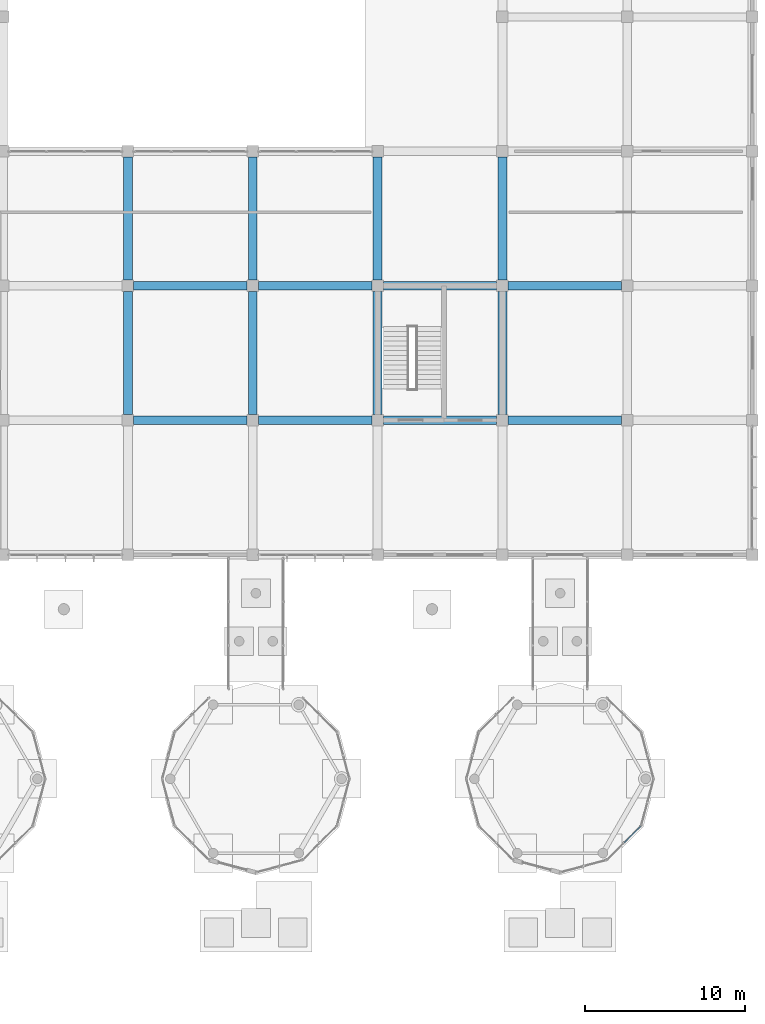
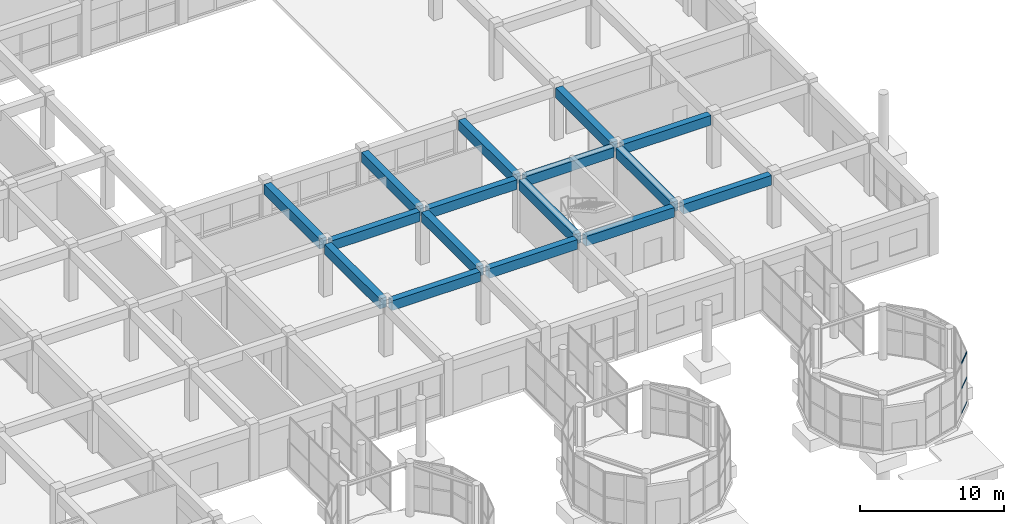
# One storey, part 67 of 139: 16 beams, 3 members, 1 element without a shape of its own.
"""IFC4 building model written with IfcOpenShell, lengths in metres."""

from ifc_helpers import new_model, si_unit, direction, frame, origin, origin_2d, place, context, subcontext, project, spatial, rectangle, hollow_rectangle, extrude, material, layer, layer_set, material_profile, profile_set, type_object, element, aggregate, save


model = new_model("IFC4")

# Units and contexts
model_context = context("Model", 3, precision=1e-05, world=origin(), true_north=direction((0.0, 1.0)))
body_context = subcontext(model_context, "Body", "Model", "MODEL_VIEW")
ifc_project = project(units=[si_unit("LENGTHUNIT", "METRE"), si_unit("AREAUNIT", "SQUARE_METRE"), si_unit("VOLUMEUNIT", "CUBIC_METRE"), si_unit("PLANEANGLEUNIT", "RADIAN"), si_unit("MASSUNIT", "GRAM", prefix="KILO")], contexts=[model_context])

# Site, building, storey
site_placement = place(None, origin())
site = spatial("IfcSite", under=ifc_project, at=site_placement, CompositionType="ELEMENT")
building_placement = place(site_placement, origin())
building = spatial("IfcBuilding", under=site, at=building_placement, Name="Zizhar Promenade General Hospital", CompositionType="ELEMENT")
storey_placement = place(building_placement, origin())
storey = spatial("IfcBuildingStorey", under=building, at=storey_placement, Name="L00", CompositionType="ELEMENT", Elevation=0.0)

# Beams
ifc_material_1 = material(Name="Concrete C35/45", Category="concrete")
ifc_material_profile_1 = material_profile(ifc_material_1, rectangle(XDim=0.52001953125, YDim=0.820068359375, at=origin_2d()))
ifc_profile_set_1 = profile_set([ifc_material_profile_1], Name="Concrete C35/45")
beam_type_1 = type_object("IfcBeamType", Name="BM-RC-520x820", PredefinedType="BEAM", material=ifc_profile_set_1)
for number, where, z_axis, x_axis, name in (
    (1, (156.360107421875, 50.39990234375, 4.06005859375), (1.0, 0.0, 0.0), (0.0, 1.0, 0.0), "Grid Beam X L00 (20-6)"),
    (2, (156.360107421875, 58.800048828125, 4.06005859375), (1.0, 0.0, 0.0), (0.0, 1.0, 0.0), "Grid Beam X L00 (20-7)"),
):
    element("IfcBeam", number, at=place(storey_placement, frame(where, z_axis=z_axis, x_axis=x_axis)), inside=storey, type_object=beam_type_1, Name=name, PredefinedType="BEAM", context=body_context, shape_type="SweptSolid", body=[
        extrude(rectangle(XDim=0.52001953125, YDim=0.820068359375, at=origin_2d()), origin(), (0.0, 0.0, 1.0), 7.079833984375),
    ])
for number, where, z_axis, x_axis, name in (
    (3, (164.159912109375, 50.39990234375, 4.06005859375), (1.0, 0.0, 0.0), (0.0, 1.0, 0.0), "Grid Beam X L00 (21-6)"),
    (4, (164.159912109375, 58.800048828125, 4.06005859375), (1.0, 0.0, 0.0), (0.0, 1.0, 0.0), "Grid Beam X L00 (21-7)"),
    (5, (171.9599609375, 50.39990234375, 4.06005859375), (1.0, 0.0, 0.0), (0.0, 1.0, 0.0), "Grid Beam X L00 (22-6)"),
    (6, (171.9599609375, 58.800048828125, 4.06005859375), (1.0, 0.0, 0.0), (0.0, 1.0, 0.0), "Grid Beam X L00 (22-7)"),
    (7, (179.760009765625, 50.39990234375, 4.06005859375), (1.0, 0.0, 0.0), (0.0, 1.0, 0.0), "Grid Beam X L00 (23-6)"),
    (8, (179.760009765625, 58.800048828125, 4.06005859375), (1.0, 0.0, 0.0), (0.0, 1.0, 0.0), "Grid Beam X L00 (23-7)"),
):
    element("IfcBeam", number, at=place(storey_placement, frame(where, z_axis=z_axis, x_axis=x_axis)), inside=storey, type_object=beam_type_1, Name=name, PredefinedType="BEAM", context=body_context, shape_type="SweptSolid", body=[
        extrude(rectangle(XDim=0.52001953125, YDim=0.820068359375, at=origin_2d()), origin(), (0.0, 0.0, 1.0), 7.080078125),
    ])
ifc_material_2 = material(Name="Concrete C35/45", Category="concrete")
ifc_material_profile_2 = material_profile(ifc_material_2, rectangle(XDim=0.550048828125, YDim=0.85009765625, at=origin_2d()))
ifc_profile_set_2 = profile_set([ifc_material_profile_2], Name="Concrete C35/45")
beam_type_2 = type_object("IfcBeamType", Name="BM-RC-550x850", PredefinedType="BEAM", material=ifc_profile_set_2)
beam_1_placement = place(storey_placement, frame((156.0, 50.760009765625, 4.044921875), z_axis=(0.0, 1.0, 0.0), x_axis=(-1.0, 0.0, 0.0)))
element("IfcBeam", 9, at=beam_1_placement, inside=storey, type_object=beam_type_2, Name="Grid Beam Y L00 (20-6)", PredefinedType="BEAM", context=body_context, shape_type="SweptSolid", body=[
    extrude(rectangle(XDim=0.550048828125, YDim=0.85009765625, at=origin_2d()), origin(), (0.0, 0.0, 1.0), 7.679931640625),
])
beam_2_placement = place(storey_placement, frame((156.0, 59.159912109375, 4.044921875), z_axis=(0.0, 1.0, 0.0), x_axis=(-1.0, 0.0, 0.0)))
element("IfcBeam", 10, at=beam_2_placement, inside=storey, type_object=beam_type_2, Name="Grid Beam Y L00 (20-7)", PredefinedType="BEAM", context=body_context, shape_type="SweptSolid", body=[
    extrude(rectangle(XDim=0.550048828125, YDim=0.85009765625, at=origin_2d()), origin(), (0.0, 0.0, 1.0), 7.68017578125),
])
beam_3_placement = place(storey_placement, frame((163.800048828125, 50.760009765625, 4.044921875), z_axis=(0.0, 1.0, 0.0), x_axis=(-1.0, 0.0, 0.0)))
element("IfcBeam", 11, at=beam_3_placement, inside=storey, type_object=beam_type_2, Name="Grid Beam Y L00 (21-6)", PredefinedType="BEAM", context=body_context, shape_type="SweptSolid", body=[
    extrude(rectangle(XDim=0.550048828125, YDim=0.85009765625, at=origin_2d()), origin(), (0.0, 0.0, 1.0), 7.679931640625),
])
beam_4_placement = place(storey_placement, frame((163.800048828125, 59.159912109375, 4.044921875), z_axis=(0.0, 1.0, 0.0), x_axis=(-1.0, 0.0, 0.0)))
element("IfcBeam", 12, at=beam_4_placement, inside=storey, type_object=beam_type_2, Name="Grid Beam Y L00 (21-7)", PredefinedType="BEAM", context=body_context, shape_type="SweptSolid", body=[
    extrude(rectangle(XDim=0.550048828125, YDim=0.85009765625, at=origin_2d()), origin(), (0.0, 0.0, 1.0), 7.68017578125),
])
beam_5_placement = place(storey_placement, frame((171.60009765625, 50.760009765625, 4.044921875), z_axis=(0.0, 1.0, 0.0), x_axis=(-1.0, 0.0, 0.0)))
element("IfcBeam", 13, at=beam_5_placement, inside=storey, type_object=beam_type_2, Name="Grid Beam Y L00 (22-6)", PredefinedType="BEAM", context=body_context, shape_type="SweptSolid", body=[
    extrude(rectangle(XDim=0.550048828125, YDim=0.85009765625, at=origin_2d()), origin(), (0.0, 0.0, 1.0), 7.679931640625),
])
beam_6_placement = place(storey_placement, frame((171.60009765625, 59.159912109375, 4.044921875), z_axis=(0.0, 1.0, 0.0), x_axis=(-1.0, 0.0, 0.0)))
element("IfcBeam", 14, at=beam_6_placement, inside=storey, type_object=beam_type_2, Name="Grid Beam Y L00 (22-7)", PredefinedType="BEAM", context=body_context, shape_type="SweptSolid", body=[
    extrude(rectangle(XDim=0.550048828125, YDim=0.85009765625, at=origin_2d()), origin(), (0.0, 0.0, 1.0), 7.68017578125),
])
beam_7_placement = place(storey_placement, frame((179.39990234375, 50.760009765625, 4.044921875), z_axis=(0.0, 1.0, 0.0), x_axis=(-1.0, 0.0, 0.0)))
element("IfcBeam", 15, at=beam_7_placement, inside=storey, type_object=beam_type_2, Name="Grid Beam Y L00 (23-6)", PredefinedType="BEAM", context=body_context, shape_type="SweptSolid", body=[
    extrude(rectangle(XDim=0.550048828125, YDim=0.85009765625, at=origin_2d()), origin(), (0.0, 0.0, 1.0), 7.679931640625),
])
beam_8_placement = place(storey_placement, frame((179.39990234375, 59.159912109375, 4.044921875), z_axis=(0.0, 1.0, 0.0), x_axis=(-1.0, 0.0, 0.0)))
element("IfcBeam", 16, at=beam_8_placement, inside=storey, type_object=beam_type_2, Name="Grid Beam Y L00 (23-7)", PredefinedType="BEAM", context=body_context, shape_type="SweptSolid", body=[
    extrude(rectangle(XDim=0.550048828125, YDim=0.85009765625, at=origin_2d()), origin(), (0.0, 0.0, 1.0), 7.68017578125),
])

# Curtain wall, members
ifc_material_3 = material(Name="Anodised aluminium 6063-T6 and low-E glass", Category="aluminium")
ifc_layer = layer(ifc_material_3, 0.159912109375)
ifc_layer_set = layer_set([ifc_layer], Name="Anodised aluminium 6063-T6 and low-E glass")
curtain_wall_type = type_object("IfcCurtainWallType", Name="CW-PAV-GLZ", PredefinedType="NOTDEFINED", material=ifc_layer_set)
curtain_wall_placement = place(storey_placement, origin())
curtain_wall = element("IfcCurtainWall", 17, at=curtain_wall_placement, inside=storey, type_object=curtain_wall_type, Name="Community Health Information Pavilion Curved Glazing 11", PredefinedType="NOTDEFINED")
ifc_material_4 = material(Name="Anodised aluminium 6063-T6", Category="aluminium")
ifc_material_profile_3 = material_profile(ifc_material_4, hollow_rectangle(XDim=0.06005859375, YDim=0.1201171875, WallThickness=0.00390625, at=origin_2d()))
ifc_profile_set_3 = profile_set([ifc_material_profile_3], Name="Anodised aluminium 6063-T6")
member_type = type_object("IfcMemberType", Name="CWT-ALU-120x60", PredefinedType="USERDEFINED", material=ifc_profile_set_3)
member_1_placement = place(storey_placement, frame((188.023681640625, 25.032470703125, 0.030029296875), z_axis=(-0.707106781187, -0.707106781187, 0.0), x_axis=(0.707106781187, -0.707106781187, 0.0)))
member_1 = element("IfcMember", 18, at=member_1_placement, type_object=member_type, Name="CW-14 transom 1.1", ObjectType="TRANSOM", PredefinedType="USERDEFINED", context=body_context, shape_type="SweptSolid", body=[
    extrude(hollow_rectangle(XDim=0.06005859375, YDim=0.1201171875, WallThickness=0.00390625, at=origin_2d()), origin(), (0.0, 0.0, 1.0), 1.423828125),
])
member_2_placement = place(storey_placement, frame((188.023681640625, 25.032470703125, 2.139892578125), z_axis=(-0.707106781187, -0.707106781187, 0.0), x_axis=(0.707106781187, -0.707106781187, 0.0)))
member_2 = element("IfcMember", 19, at=member_2_placement, type_object=member_type, Name="CW-14 transom 1.2", ObjectType="TRANSOM", PredefinedType="USERDEFINED", context=body_context, shape_type="SweptSolid", body=[
    extrude(hollow_rectangle(XDim=0.06005859375, YDim=0.1201171875, WallThickness=0.00390625, at=origin_2d()), origin(), (0.0, 0.0, 1.0), 1.423828125),
])
member_3_placement = place(storey_placement, frame((188.023681640625, 25.032470703125, 4.25), z_axis=(-0.707106781187, -0.707106781187, 0.0), x_axis=(0.707106781187, -0.707106781187, 0.0)))
member_3 = element("IfcMember", 20, at=member_3_placement, type_object=member_type, Name="CW-14 transom 1.3", ObjectType="TRANSOM", PredefinedType="USERDEFINED", context=body_context, shape_type="SweptSolid", body=[
    extrude(hollow_rectangle(XDim=0.06005859375, YDim=0.1201171875, WallThickness=0.00390625, at=origin_2d()), origin(), (0.0, 0.0, 1.0), 1.423828125),
])
aggregate(curtain_wall, [member_1, member_2, member_3])

save(model, "model.ifc")
